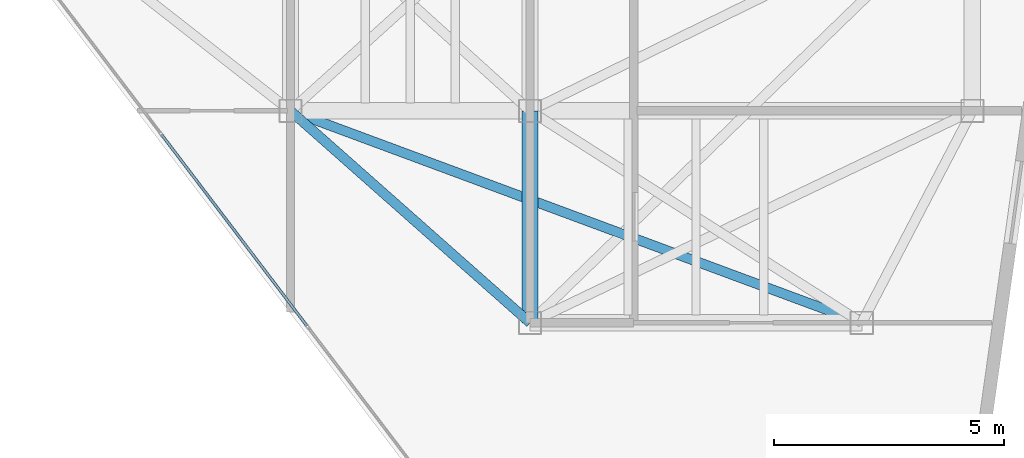
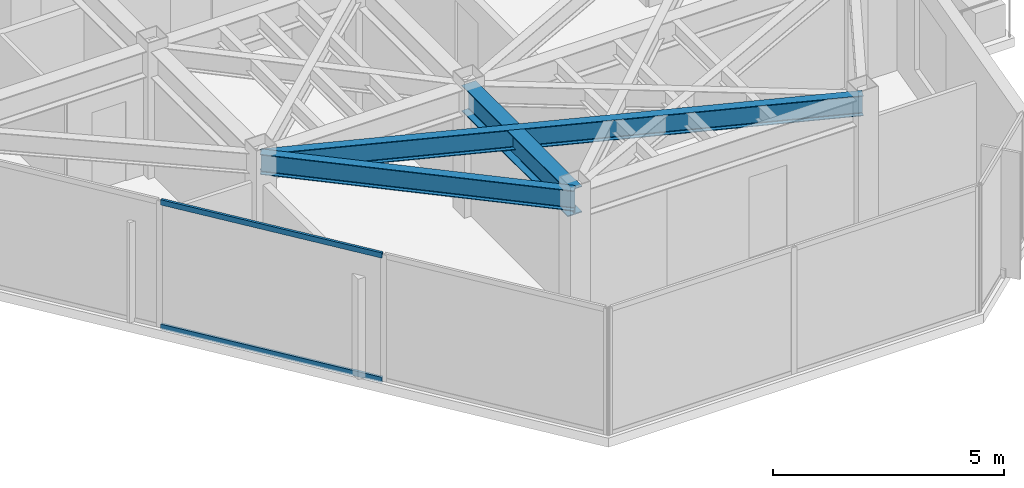
# One storey, part 9 of 19: 3 beams, 2 members, 1 element without a shape of its own.
"""IFC4 building model written with IfcOpenShell, lengths in metres."""

from ifc_helpers import new_model, si_unit, direction, frame, origin, origin_2d, place, context, subcontext, project, spatial, hollow_rectangle, i_section, extrude, material, layer, layer_set, material_profile, profile_set, type_object, element, aggregate, save


model = new_model("IFC4")

# Units and contexts
model_context = context("Model", 3, precision=1e-05, world=origin(), true_north=direction((0.0, 1.0)))
body_context = subcontext(model_context, "Body", "Model", "MODEL_VIEW")
ifc_project = project(units=[si_unit("LENGTHUNIT", "METRE"), si_unit("AREAUNIT", "SQUARE_METRE"), si_unit("VOLUMEUNIT", "CUBIC_METRE"), si_unit("PLANEANGLEUNIT", "RADIAN"), si_unit("MASSUNIT", "GRAM", prefix="KILO")], contexts=[model_context])

# Site, building, storey
site_placement = place(None, origin())
site = spatial("IfcSite", under=ifc_project, at=site_placement, CompositionType="ELEMENT")
building_placement = place(site_placement, origin())
building = spatial("IfcBuilding", under=site, at=building_placement, Name="Kravanh Interchange Tower", CompositionType="ELEMENT")
storey_placement = place(building_placement, frame((0.0, 0.0, 259.800048828125)))
storey = spatial("IfcBuildingStorey", under=building, at=storey_placement, Name="L63", CompositionType="ELEMENT", Elevation=259.800048828125)

# Curtain wall, members
ifc_material_1 = material(Name="Anodised Bronze Aluminium", Category="aluminium")
ifc_layer = layer(ifc_material_1, 0.179931640625)
ifc_layer_set = layer_set([ifc_layer], Name="Unitised Curtain Wall System CW-HTL Luxury Hotel")
curtain_wall_type = type_object("IfcCurtainWallType", Name="Unitised Curtain Wall System CW-HTL Luxury Hotel", PredefinedType="NOTDEFINED", material=ifc_layer_set)
curtain_wall_placement = place(storey_placement, origin())
curtain_wall = element("IfcCurtainWall", 1, at=curtain_wall_placement, inside=storey, type_object=curtain_wall_type, Name="L63 Unitised Curtain Wall CW-L63-04", PredefinedType="NOTDEFINED")
ifc_material_2 = material(Name="Anodised Bronze Aluminium", Category="aluminium")
ifc_material_profile_1 = material_profile(ifc_material_2, hollow_rectangle(XDim=0.06005859375, YDim=0.139892578125, WallThickness=0.00390625, at=origin_2d()), Name="ALU60X140X4")
ifc_profile_set_1 = profile_set([ifc_material_profile_1], Name="Anodised Bronze Aluminium")
member_type = type_object("IfcMemberType", Name="Curtain Wall Transom ALU60X140X4 Bronze", PredefinedType="USERDEFINED", material=ifc_profile_set_1)
member_1_placement = place(storey_placement, frame((51.15478515625, 22.13671875, 0.030029296875), z_axis=(-0.605074944506, 0.796168519555, 0.0), x_axis=(-0.796168519555, -0.605074944506, 0.0)))
member_1 = element("IfcMember", 2, at=member_1_placement, type_object=member_type, Name="CW-HTL transom 2.1", ObjectType="TRANSOM", PredefinedType="USERDEFINED", context=body_context, shape_type="SweptSolid", body=[
    extrude(hollow_rectangle(XDim=0.06005859375, YDim=0.139892578125, WallThickness=0.00390625, at=origin_2d()), origin(), (0.0, 0.0, 1.0), 5.206298828125),
])
member_2_placement = place(storey_placement, frame((51.15478515625, 22.13671875, 3.320068359375), z_axis=(-0.605074944506, 0.796168519555, 0.0), x_axis=(-0.796168519555, -0.605074944506, 0.0)))
member_2 = element("IfcMember", 3, at=member_2_placement, type_object=member_type, Name="CW-HTL transom 2.2", ObjectType="TRANSOM", PredefinedType="USERDEFINED", context=body_context, shape_type="SweptSolid", body=[
    extrude(hollow_rectangle(XDim=0.06005859375, YDim=0.139892578125, WallThickness=0.00390625, at=origin_2d()), origin(), (0.0, 0.0, 1.0), 5.206298828125),
])
aggregate(curtain_wall, [member_1, member_2])

# Beams
ifc_material_3 = material(Name="Structural Steel S355", Category="steel")
ifc_material_profile_2 = material_profile(ifc_material_3, i_section(OverallWidth=0.35498046875, OverallDepth=0.696044921875, WebThickness=0.015380859375, FlangeThickness=0.02490234375, FilletRadius=0.02392578125, at=origin_2d()), Name="W27X146")
ifc_profile_set_2 = profile_set([ifc_material_profile_2], Name="Structural Steel S355")
beam_type_1 = type_object("IfcBeamType", Name="Floor Beam W27X146 Structural Steel S355", PredefinedType="BEAM", material=ifc_profile_set_2)
beam_1_placement = place(storey_placement, frame((56.0, 26.800048828125, 3.001953125), z_axis=(0.0, -1.0, 0.0), x_axis=(1.0, 0.0, 0.0)))
element("IfcBeam", 4, at=beam_1_placement, inside=storey, type_object=beam_type_1, Name="L63 Primary Floor Girder 34", PredefinedType="BEAM", context=body_context, shape_type="SweptSolid", body=[
    extrude(i_section(OverallWidth=0.35498046875, OverallDepth=0.696044921875, WebThickness=0.015380859375, FlangeThickness=0.02490234375, FilletRadius=0.02392578125, at=origin_2d()), origin(), (0.0, 0.0, 1.0), 4.60009765625),
])
ifc_material_4 = material(Name="Structural Steel S355", Category="steel")
ifc_material_profile_3 = material_profile(ifc_material_4, i_section(OverallWidth=0.2099609375, OverallDepth=0.537109375, WebThickness=0.010986328125, FlangeThickness=0.017333984375, FilletRadius=0.02001953125, at=origin_2d()), Name="W21X68")
ifc_profile_set_3 = profile_set([ifc_material_profile_3], Name="Structural Steel S355")
beam_type_2 = type_object("IfcBeamType", Name="Floor Spandrel W21X68 Structural Steel S355", PredefinedType="SPANDREL", material=ifc_profile_set_3)
beam_2_placement = place(storey_placement, frame((50.800048828125, 26.800048828125, 3.08154296875), z_axis=(0.74898649432, -0.662585263439, 0.0), x_axis=(0.662585263439, 0.74898649432, 0.0)))
element("IfcBeam", 5, at=beam_2_placement, inside=storey, type_object=beam_type_2, Name="L63 Perimeter Spandrel 32", PredefinedType="SPANDREL", context=body_context, shape_type="SweptSolid", body=[
    extrude(i_section(OverallWidth=0.2099609375, OverallDepth=0.537109375, WebThickness=0.010986328125, FlangeThickness=0.017333984375, FilletRadius=0.02001953125, at=origin_2d()), origin(), (0.0, 0.0, 1.0), 6.942626953125),
])
beam_3_placement = place(storey_placement, frame((50.800048828125, 26.800048828125, 3.08154296875), z_axis=(0.937562917338, -0.347815721372, 0.0), x_axis=(0.347815721372, 0.937562917338, 0.0)))
element("IfcBeam", 6, at=beam_3_placement, inside=storey, type_object=beam_type_2, Name="L63 Perimeter Spandrel 33", PredefinedType="SPANDREL", context=body_context, shape_type="SweptSolid", body=[
    extrude(i_section(OverallWidth=0.2099609375, OverallDepth=0.537109375, WebThickness=0.010986328125, FlangeThickness=0.017333984375, FilletRadius=0.02001953125, at=origin_2d()), origin(), (0.0, 0.0, 1.0), 13.2255859375),
])

save(model, "model.ifc")
